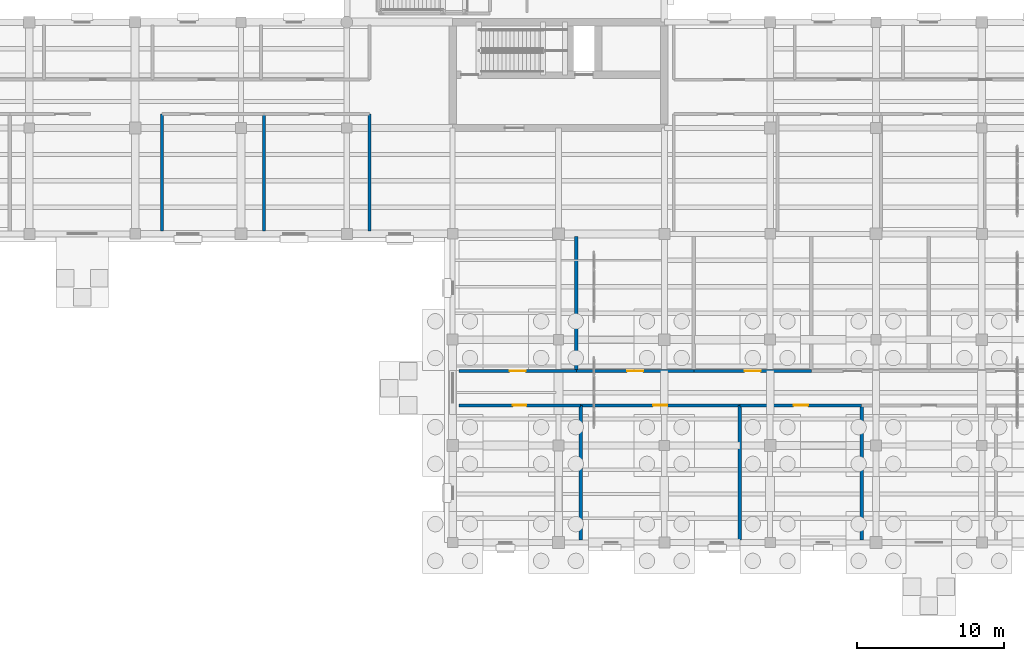
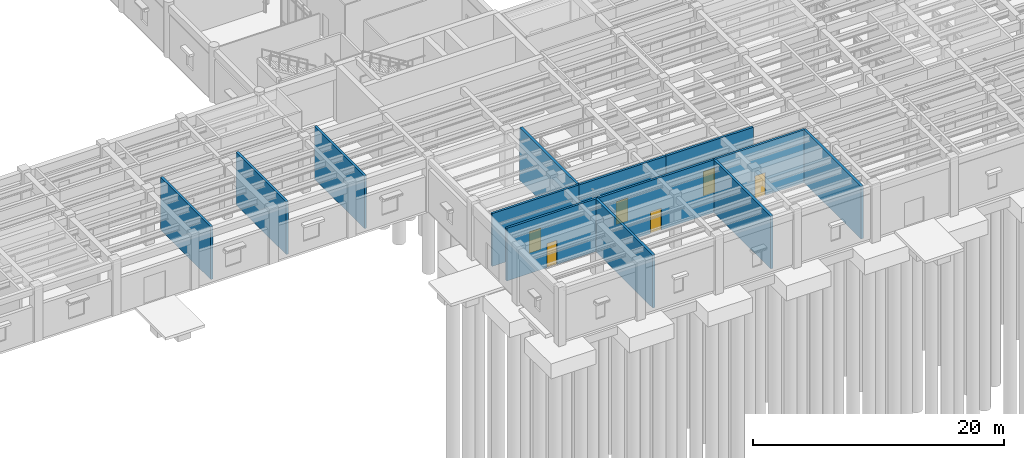
# One storey, part 70 of 100: 13 walls, 6 doors, 6 openings.
"""IFC4 building model written with IfcOpenShell, lengths in metres."""

import ifcopenshell
import ifcopenshell.guid

model = None  # the IFC model being written
_history = None  # IfcOwnerHistory: only IFC2X3 demands one
_inside = {}  # id of a spatial element -> (the spatial element, [elements in it])
_under = {}  # id of a project, library or spatial element -> (it, [spatial elements below it])
_declared = {}  # id of a project -> (the project, [libraries it declares])
_typed = {}  # id of a type object -> (the type object, [elements of that type])
_made_of = {}  # id of a material, layer set ... -> (it, [elements and type objects made of it])


def new_model(schema):
    """Start an empty IFC model of exactly this schema.

    Asked for "IFC4X3", IfcOpenShell would pick the latest addendum, in which some entities
    have other attributes; the version numbers below select the first issue.
    IFC2X3 requires an IfcOwnerHistory on every rooted entity: one is made here for all.
    """
    global model, _history
    if schema == "IFC4X3":
        model = ifcopenshell.file(schema_version=(4, 3, 0, 0))
    else:
        model = ifcopenshell.file(schema=schema)
    _inside.clear()
    _under.clear()
    _declared.clear()
    _typed.clear()
    _made_of.clear()
    _history = None
    if model.schema == "IFC2X3":
        org = make("IfcOrganization", Name="unknown")
        user = make(
            "IfcPersonAndOrganization",
            ThePerson=make("IfcPerson", FamilyName="unknown"),
            TheOrganization=org,
        )
        app = make(
            "IfcApplication",
            ApplicationDeveloper=org,
            Version="unknown",
            ApplicationFullName="unknown",
            ApplicationIdentifier="unknown",
        )
        _history = make(
            "IfcOwnerHistory",
            OwningUser=user,
            OwningApplication=app,
            ChangeAction="ADDED",
            CreationDate=0,
        )
    return model


def make(cls, **values):
    """One entity of the class cls with the attributes given. An attribute that is None is left unset."""
    return model.create_entity(
        cls, **{name: value for name, value in values.items() if value is not None}
    )


def rooted(cls, **values):
    """An entity with a GlobalId (a new one), such as an element, a storey or a relation."""
    return make(cls, GlobalId=ifcopenshell.guid.new(), OwnerHistory=_history, **values)


def si_unit(unit_type, name, prefix=None):
    """IfcSIUnit, for example si_unit("LENGTHUNIT", "METRE", prefix="MILLI")."""
    return make("IfcSIUnit", UnitType=unit_type, Prefix=prefix, Name=name)


def assignment(units):
    """IfcUnitAssignment: the units of a project."""
    return None if units is None else make("IfcUnitAssignment", Units=units)


def point(xyz):
    """IfcCartesianPoint."""
    return None if xyz is None else make("IfcCartesianPoint", Coordinates=xyz)


def direction(xyz):
    """IfcDirection."""
    return None if xyz is None else make("IfcDirection", DirectionRatios=xyz)


def frame(location, z_axis=None, x_axis=None):
    """IfcAxis2Placement3D, a coordinate frame: its origin and axes. An axis left out is left unset."""
    return make(
        "IfcAxis2Placement3D",
        Location=point(location),
        Axis=direction(z_axis),
        RefDirection=direction(x_axis),
    )


def frame_2d(location, x_axis=None):
    """IfcAxis2Placement2D, a coordinate frame in the plane: its origin and x axis."""
    return make(
        "IfcAxis2Placement2D", Location=point(location), RefDirection=direction(x_axis)
    )


def origin():
    """The frame at (0, 0, 0) with its axes left unset."""
    return frame((0.0, 0.0, 0.0))


def place(relative_to, where):
    """IfcLocalPlacement: puts the frame where relative to a parent placement (None: the world)."""
    return make(
        "IfcLocalPlacement", PlacementRelTo=relative_to, RelativePlacement=where
    )


def context(
    kind, dimensions, precision=None, world=None, true_north=None, identifier=None
):
    """IfcGeometricRepresentationContext, for example the 3D "Model" context."""
    return make(
        "IfcGeometricRepresentationContext",
        ContextIdentifier=identifier,
        ContextType=kind,
        CoordinateSpaceDimension=dimensions,
        Precision=precision,
        WorldCoordinateSystem=world,
        TrueNorth=true_north,
    )


def subcontext(parent, identifier, kind, view, scale=None):
    """IfcGeometricRepresentationSubContext, for example "Body" below "Model"."""
    return make(
        "IfcGeometricRepresentationSubContext",
        ContextIdentifier=identifier,
        ContextType=kind,
        ParentContext=parent,
        TargetScale=scale,
        TargetView=view,
    )


def project(units=None, contexts=None):
    """IfcProject with its units and contexts."""
    return rooted(
        "IfcProject",
        Name="project",
        RepresentationContexts=contexts,
        UnitsInContext=assignment(units),
    )


def spatial(cls, under=None, at=None, **own):
    """A site, building, storey or space (cls), placed at a placement, below another one or the project."""
    s = rooted(cls, ObjectPlacement=at, **own)
    if under is not None:
        _under.setdefault(under.id(), (under, []))[1].append(s)
    return s


def profile(cls, at=None, kind="AREA", **sizes):
    """A parametric profile (cls). Its sizes go by their IFC names, for example OverallWidth=200.0."""
    return make(cls, ProfileType=kind, Position=at, **sizes)


def rectangle(**sizes):
    """IfcRectangleProfileDef."""
    return profile("IfcRectangleProfileDef", **sizes)


def extrude(swept, where, along, depth):
    """IfcExtrudedAreaSolid: the profile swept, set in the frame where, extruded along a direction by depth."""
    return make(
        "IfcExtrudedAreaSolid",
        SweptArea=swept,
        Position=where,
        ExtrudedDirection=direction(along),
        Depth=depth,
    )


def shape(context_of_items, identifier, shape_type, items):
    """IfcShapeRepresentation: the items that make up one representation, for example the "Body"."""
    return make(
        "IfcShapeRepresentation",
        ContextOfItems=context_of_items,
        RepresentationIdentifier=identifier,
        RepresentationType=shape_type,
        Items=items,
    )


def material(Name=None, Category=None):
    """IfcMaterial."""
    return make("IfcMaterial", Name=Name, Category=Category)


def layer(
    of_material, thickness, ventilated=None, Name=None, Category=None, Priority=None
):
    """IfcMaterialLayer: one layer of a wall or slab, of a material (None: an air gap)."""
    return make(
        "IfcMaterialLayer",
        Material=of_material,
        LayerThickness=thickness,
        IsVentilated=ventilated,
        Name=Name,
        Category=Category,
        Priority=Priority,
    )


def layer_set(layers, Name=None):
    """IfcMaterialLayerSet."""
    return make("IfcMaterialLayerSet", MaterialLayers=layers, LayerSetName=Name)


def made_of(thing, what):
    """Note that an element or type object is made of a material, layer set ...; save() writes the relation."""
    if what is not None:
        _made_of.setdefault(what.id(), (what, []))[1].append(thing)
    return thing


def type_object(cls, material=None, **own):
    """A type object (cls), such as IfcWallType, which elements share."""
    return made_of(rooted(cls, **own), material)


def element(
    cls,
    number,
    at=None,
    inside=None,
    cuts=None,
    type_object=None,
    material=None,
    context=None,
    identifier="Body",
    shape_type=None,
    held_by="IfcProductDefinitionShape",
    body=None,
    shapes=None,
    **own,
):
    """One element of the class cls, such as IfcWall. Its Tag is "e" and its number.

    at: its placement. inside: the storey or other place that contains it. cuts: it is an
    opening in that element (IfcRelVoidsElement). A single representation is given by context,
    identifier, shape_type and body (its items); several are given by shapes. held_by: the class
    of the entity that holds the representations. save() writes the other relations.
    """
    e = rooted(cls, Tag="e%d" % number, ObjectPlacement=at, **own)
    if body is not None:
        shapes = [shape(context, identifier, shape_type, body)]
    if shapes is not None:
        e.Representation = make(held_by, Representations=shapes)
    if inside is not None:
        _inside.setdefault(inside.id(), (inside, []))[1].append(e)
    if cuts is not None:
        rooted(
            "IfcRelVoidsElement", RelatingBuildingElement=cuts, RelatedOpeningElement=e
        )
    if type_object is not None:
        _typed.setdefault(type_object.id(), (type_object, []))[1].append(e)
    return made_of(e, material)


def fill(opening, filler):
    """IfcRelFillsElement: the door or window that sits in an opening."""
    return rooted(
        "IfcRelFillsElement",
        RelatingOpeningElement=opening,
        RelatedBuildingElement=filler,
    )


def aggregate(whole, parts):
    """IfcRelAggregates: a whole, such as a stair, and the parts it consists of."""
    return rooted("IfcRelAggregates", RelatingObject=whole, RelatedObjects=parts)


def save(model, path):
    """Write the relations noted so far, then the file.

    IfcRelAggregates (storeys below a building ...), IfcRelContainedInSpatialStructure (elements
    in a storey), IfcRelDefinesByType, IfcRelAssociatesMaterial and IfcRelDeclares: one each for
    every whole, place, type object, material and project.
    """
    for whole, parts in _under.values():
        aggregate(whole, parts)
    for where, things in _inside.values():
        rooted(
            "IfcRelContainedInSpatialStructure",
            RelatedElements=things,
            RelatingStructure=where,
        )
    for kind, things in _typed.values():
        rooted("IfcRelDefinesByType", RelatedObjects=things, RelatingType=kind)
    for what, things in _made_of.values():
        rooted("IfcRelAssociatesMaterial", RelatedObjects=things, RelatingMaterial=what)
    for by, libraries in _declared.values():
        rooted("IfcRelDeclares", RelatingContext=by, RelatedDefinitions=libraries)
    model.write(path)


model = new_model("IFC4")

# Units and contexts
model_context = context("Model", 3, precision=1e-05, world=origin(), true_north=direction((0.0, 1.0)))
body_context = subcontext(model_context, "Body", "Model", "MODEL_VIEW")
ifc_project = project(units=[si_unit("LENGTHUNIT", "METRE"), si_unit("AREAUNIT", "SQUARE_METRE"), si_unit("VOLUMEUNIT", "CUBIC_METRE"), si_unit("PLANEANGLEUNIT", "RADIAN"), si_unit("MASSUNIT", "GRAM", prefix="KILO")], contexts=[model_context])

# Site, building, storey
site_placement = place(None, origin())
site = spatial("IfcSite", under=ifc_project, at=site_placement, CompositionType="ELEMENT")
building_placement = place(site_placement, origin())
building = spatial("IfcBuilding", under=site, at=building_placement, Name="Mithqara Police Headquarters", CompositionType="ELEMENT")
storey_placement = place(building_placement, origin())
storey = spatial("IfcBuildingStorey", under=building, at=storey_placement, Name="L00", CompositionType="ELEMENT", Elevation=0.0)

# Walls
ifc_material_1 = material(Name="Concrete C40/50", Category="concrete")
ifc_layer_1 = layer(ifc_material_1, 0.2099609375, Name="Concrete C40/50")
ifc_layer_set_1 = layer_set([ifc_layer_1], Name="Concrete C40/50")
wall_type_1 = type_object("IfcWallType", Name="PART WALL 210", PredefinedType="PARTITIONING", material=ifc_layer_set_1)
for number, where, z_axis, x_axis, name in (
    (1, (74.14990234375, 21.179931640625, 0.0), (0.0, 0.0, 1.0), (0.0, 1.0, 0.0), "L00 Partition End Closure E1"),
    (2, (60.033935546875, 21.179931640625, 0.0), (0.0, 0.0, 1.0), (0.0, 1.0, 0.0), "L00 Room Partition Victim Support Consultation Room"),
    (3, (66.967041015625, 21.179931640625, 0.0), (0.0, 0.0, 1.0), (0.0, 1.0, 0.0), "L00 Room Partition Witness Reception Room"),
):
    element("IfcWall", number, at=place(storey_placement, frame(where, z_axis=z_axis, x_axis=x_axis)), inside=storey, type_object=wall_type_1, Name=name, PredefinedType="PARTITIONING", context=body_context, shape_type="SweptSolid", body=[
        extrude(rectangle(XDim=7.969970703125, YDim=0.2099609375, at=frame_2d((3.98486328125, 0.0))), origin(), (0.0, 0.0, 1.0), 5.1201171875),
    ])

# Wall, opening, door
wall_1_placement = place(storey_placement, frame((80.219970703125, 9.330078125, 0.0), z_axis=(0.0, 0.0, 1.0), x_axis=(1.0, 0.0, 0.0)))
wall_1 = element("IfcWall", 4, at=wall_1_placement, inside=storey, type_object=wall_type_1, Name="L00 Corridor Wall Custody Escort Lobby", PredefinedType="PARTITIONING", context=body_context, shape_type="SweptSolid", body=[
    extrude(rectangle(XDim=8.287109375, YDim=0.2099609375, at=frame_2d((4.1435546875, 0.0))), origin(), (0.0, 0.0, 1.0), 5.1201171875),
])
opening_1_placement = place(wall_1_placement, frame((3.68359375, 0.0, 0.0)))
opening_1 = element("IfcOpeningElement", 5, at=opening_1_placement, cuts=wall_1, Name="Opening D-03", PredefinedType="OPENING", context=body_context, shape_type="SweptSolid", body=[
    extrude(rectangle(XDim=0.919921875, YDim=2.35009765625, at=frame_2d((0.4599609375, 1.175048828125))), frame((0.0, 0.114990234375, 0.0), z_axis=(0.0, -1.0, 0.0), x_axis=(1.0, 0.0, 0.0)), (0.0, 0.0, 1.0), 0.22998046875),
])
ifc_material_2 = material(Name="Acoustic solid-core timber leaf", Category="wood")
door_type_1 = type_object("IfcDoorType", Name="INT DOOR 920X2350", OperationType="NOTDEFINED", PredefinedType="DOOR", material=ifc_material_2)
door_1_placement = place(opening_1_placement, frame((0.919921875, 0.0, 0.0), z_axis=(0.0, 0.0, 1.0), x_axis=(-1.0, 0.0, 0.0)))
door_1 = element("IfcDoor", 6, at=door_1_placement, inside=storey, type_object=door_type_1, Name="Custody Escort Lobby Entry Door", OperationType="SINGLE_SWING_RIGHT", OverallHeight=2.35009765625, OverallWidth=0.919921875, PredefinedType="DOOR", context=body_context, shape_type="SweptSolid", body=[
    extrude(rectangle(XDim=0.919921875, YDim=2.35009765625, at=frame_2d((0.4599609375, 1.175048828125))), frame((0.0, 0.02490234375, 0.0), z_axis=(0.0, -1.0, 0.0), x_axis=(1.0, 0.0, 0.0)), (0.0, 0.0, 1.0), 0.050048828125),
])
fill(opening_1, door_1)

wall_2_placement = place(storey_placement, frame((88.507080078125, 9.330078125, 0.0), z_axis=(0.0, 0.0, 1.0), x_axis=(1.0, 0.0, 0.0)))
wall_2 = element("IfcWall", 7, at=wall_2_placement, inside=storey, type_object=wall_type_1, Name="L00 Corridor Wall Custody Suite", PredefinedType="PARTITIONING", context=body_context, shape_type="SweptSolid", body=[
    extrude(rectangle(XDim=10.8369140625, YDim=0.2099609375, at=frame_2d((5.41845703125, 0.0))), origin(), (0.0, 0.0, 1.0), 5.1201171875),
])
opening_2_placement = place(wall_2_placement, frame((4.928466796875, 0.0, 0.0)))
opening_2 = element("IfcOpeningElement", 8, at=opening_2_placement, cuts=wall_2, Name="Opening D-04", PredefinedType="OPENING", context=body_context, shape_type="SweptSolid", body=[
    extrude(rectangle(XDim=0.97998046875, YDim=2.10009765625, at=frame_2d((0.489990234375, 1.050048828125))), frame((0.0, 0.114990234375, 0.0), z_axis=(0.0, -1.0, 0.0), x_axis=(1.0, 0.0, 0.0)), (0.0, 0.0, 1.0), 0.22998046875),
])
door_type_2 = type_object("IfcDoorType", Name="INT DOOR 980X2100", OperationType="NOTDEFINED", PredefinedType="DOOR", material=ifc_material_2)
door_2_placement = place(opening_2_placement, frame((0.97998046875, 0.0, 0.0), z_axis=(0.0, 0.0, 1.0), x_axis=(-1.0, 0.0, 0.0)))
door_2 = element("IfcDoor", 9, at=door_2_placement, inside=storey, type_object=door_type_2, Name="Custody Suite Entry Door", OperationType="SINGLE_SWING_LEFT", OverallHeight=2.10009765625, OverallWidth=0.97998046875, PredefinedType="DOOR", context=body_context, shape_type="SweptSolid", body=[
    extrude(rectangle(XDim=0.97998046875, YDim=2.10009765625, at=frame_2d((0.489990234375, 1.050048828125))), frame((0.0, 0.02490234375, 0.0), z_axis=(0.0, -1.0, 0.0), x_axis=(1.0, 0.0, 0.0)), (0.0, 0.0, 1.0), 0.050048828125),
])
fill(opening_2, door_2)

wall_3_placement = place(storey_placement, frame((99.343994140625, 9.330078125, 0.0), z_axis=(0.0, 0.0, 1.0), x_axis=(1.0, 0.0, 0.0)))
wall_3 = element("IfcWall", 10, at=wall_3_placement, inside=storey, type_object=wall_type_1, Name="L00 Corridor Wall Custody Booking Desk", PredefinedType="PARTITIONING", context=body_context, shape_type="SweptSolid", body=[
    extrude(rectangle(XDim=8.287109375, YDim=0.2099609375, at=frame_2d((4.1435546875, 0.0))), origin(), (0.0, 0.0, 1.0), 5.1201171875),
])
opening_3_placement = place(wall_3_placement, frame((3.653564453125, 0.0, 0.0)))
opening_3 = element("IfcOpeningElement", 11, at=opening_3_placement, cuts=wall_3, Name="Opening D-05", PredefinedType="OPENING", context=body_context, shape_type="SweptSolid", body=[
    extrude(rectangle(XDim=0.97998046875, YDim=2.219970703125, at=frame_2d((0.489990234375, 1.10986328125))), frame((0.0, 0.114990234375, 0.0), z_axis=(0.0, -1.0, 0.0), x_axis=(1.0, 0.0, 0.0)), (0.0, 0.0, 1.0), 0.22998046875),
])
door_type_3 = type_object("IfcDoorType", Name="INT DOOR 980X2220", OperationType="NOTDEFINED", PredefinedType="DOOR", material=ifc_material_2)
door_3_placement = place(opening_3_placement, frame((0.97998046875, 0.0, 0.0), z_axis=(0.0, 0.0, 1.0), x_axis=(-1.0, 0.0, 0.0)))
door_3 = element("IfcDoor", 12, at=door_3_placement, inside=storey, type_object=door_type_3, Name="Custody Booking Desk Entry Door", OperationType="SINGLE_SWING_RIGHT", OverallHeight=2.219970703125, OverallWidth=0.97998046875, PredefinedType="DOOR", context=body_context, shape_type="SweptSolid", body=[
    extrude(rectangle(XDim=0.97998046875, YDim=2.219970703125, at=frame_2d((0.489990234375, 1.10986328125))), frame((0.0, 0.02490234375, 0.0), z_axis=(0.0, -1.0, 0.0), x_axis=(1.0, 0.0, 0.0)), (0.0, 0.0, 1.0), 0.050048828125),
])
fill(opening_3, door_3)

wall_4_placement = place(storey_placement, frame((80.219970703125, 11.669921875, 0.0), z_axis=(0.0, 0.0, 1.0), x_axis=(1.0, 0.0, 0.0)))
wall_4 = element("IfcWall", 13, at=wall_4_placement, inside=storey, type_object=wall_type_1, Name="L00 Corridor Wall Custody Suite", PredefinedType="PARTITIONING", context=body_context, shape_type="SweptSolid", body=[
    extrude(rectangle(XDim=7.9951171875, YDim=0.2099609375, at=frame_2d((3.99755859375, 0.0))), origin(), (0.0, 0.0, 1.0), 5.1201171875),
])
opening_4_placement = place(wall_4_placement, frame((3.447509765625, 0.0, 0.0)))
opening_4 = element("IfcOpeningElement", 14, at=opening_4_placement, cuts=wall_4, Name="Opening D-10", PredefinedType="OPENING", context=body_context, shape_type="SweptSolid", body=[
    extrude(rectangle(XDim=1.10009765625, YDim=2.10009765625, at=frame_2d((0.550048828125, 1.050048828125))), frame((0.0, 0.114990234375, 0.0), z_axis=(0.0, -1.0, 0.0), x_axis=(1.0, 0.0, 0.0)), (0.0, 0.0, 1.0), 0.22998046875),
])
door_type_4 = type_object("IfcDoorType", Name="INT DOOR 1100X2100", OperationType="NOTDEFINED", PredefinedType="DOOR", material=ifc_material_2)
door_4_placement = place(opening_4_placement, origin())
door_4 = element("IfcDoor", 15, at=door_4_placement, inside=storey, type_object=door_type_4, Name="Custody Suite Entry Door", OperationType="SINGLE_SWING_LEFT", OverallHeight=2.10009765625, OverallWidth=1.10009765625, PredefinedType="DOOR", context=body_context, shape_type="SweptSolid", body=[
    extrude(rectangle(XDim=1.10009765625, YDim=2.10009765625, at=frame_2d((0.550048828125, 1.050048828125))), frame((0.0, 0.02490234375, 0.0), z_axis=(0.0, -1.0, 0.0), x_axis=(1.0, 0.0, 0.0)), (0.0, 0.0, 1.0), 0.050048828125),
])
fill(opening_4, door_4)

wall_5_placement = place(storey_placement, frame((88.215087890625, 11.669921875, 0.0), z_axis=(0.0, 0.0, 1.0), x_axis=(1.0, 0.0, 0.0)))
wall_5 = element("IfcWall", 16, at=wall_5_placement, inside=storey, type_object=wall_type_1, Name="L00 Corridor Wall Custody Booking Desk", PredefinedType="PARTITIONING", context=body_context, shape_type="SweptSolid", body=[
    extrude(rectangle(XDim=7.994873046875, YDim=0.2099609375, at=frame_2d((3.99755859375, 0.0))), origin(), (0.0, 0.0, 1.0), 5.1201171875),
])
opening_5_placement = place(wall_5_placement, frame((3.447509765625, 0.0, 0.0)))
opening_5 = element("IfcOpeningElement", 17, at=opening_5_placement, cuts=wall_5, Name="Opening D-11", PredefinedType="OPENING", context=body_context, shape_type="SweptSolid", body=[
    extrude(rectangle(XDim=1.10009765625, YDim=2.219970703125, at=frame_2d((0.550048828125, 1.10986328125))), frame((0.0, 0.114990234375, 0.0), z_axis=(0.0, -1.0, 0.0), x_axis=(1.0, 0.0, 0.0)), (0.0, 0.0, 1.0), 0.22998046875),
])
door_type_5 = type_object("IfcDoorType", Name="INT DOOR 1100X2220", OperationType="NOTDEFINED", PredefinedType="DOOR", material=ifc_material_2)
door_5_placement = place(opening_5_placement, origin())
door_5 = element("IfcDoor", 18, at=door_5_placement, inside=storey, type_object=door_type_5, Name="Custody Booking Desk Entry Door", OperationType="SINGLE_SWING_RIGHT", OverallHeight=2.219970703125, OverallWidth=1.10009765625, PredefinedType="DOOR", context=body_context, shape_type="SweptSolid", body=[
    extrude(rectangle(XDim=1.10009765625, YDim=2.219970703125, at=frame_2d((0.550048828125, 1.10986328125))), frame((0.0, 0.02490234375, 0.0), z_axis=(0.0, -1.0, 0.0), x_axis=(1.0, 0.0, 0.0)), (0.0, 0.0, 1.0), 0.050048828125),
])
fill(opening_5, door_5)

wall_6_placement = place(storey_placement, frame((96.2099609375, 11.669921875, 0.0), z_axis=(0.0, 0.0, 1.0), x_axis=(1.0, 0.0, 0.0)))
wall_6 = element("IfcWall", 19, at=wall_6_placement, inside=storey, type_object=wall_type_1, Name="L00 Corridor Wall Custody Medical Room", PredefinedType="PARTITIONING", context=body_context, shape_type="SweptSolid", body=[
    extrude(rectangle(XDim=7.9951171875, YDim=0.2099609375, at=frame_2d((3.99755859375, 0.0))), origin(), (0.0, 0.0, 1.0), 5.1201171875),
])
opening_6_placement = place(wall_6_placement, frame((3.447509765625, 0.0, 0.0)))
opening_6 = element("IfcOpeningElement", 20, at=opening_6_placement, cuts=wall_6, Name="Opening D-12", PredefinedType="OPENING", context=body_context, shape_type="SweptSolid", body=[
    extrude(rectangle(XDim=1.10009765625, YDim=2.35009765625, at=frame_2d((0.550048828125, 1.175048828125))), frame((0.0, 0.114990234375, 0.0), z_axis=(0.0, -1.0, 0.0), x_axis=(1.0, 0.0, 0.0)), (0.0, 0.0, 1.0), 0.22998046875),
])
door_type_6 = type_object("IfcDoorType", Name="INT DOOR 1100X2350", OperationType="NOTDEFINED", PredefinedType="DOOR", material=ifc_material_2)
door_6_placement = place(opening_6_placement, origin())
door_6 = element("IfcDoor", 21, at=door_6_placement, inside=storey, type_object=door_type_6, Name="Custody Medical Room Entry Door", OperationType="SINGLE_SWING_LEFT", OverallHeight=2.35009765625, OverallWidth=1.10009765625, PredefinedType="DOOR", context=body_context, shape_type="SweptSolid", body=[
    extrude(rectangle(XDim=1.10009765625, YDim=2.35009765625, at=frame_2d((0.550048828125, 1.175048828125))), frame((0.0, 0.02490234375, 0.0), z_axis=(0.0, -1.0, 0.0), x_axis=(1.0, 0.0, 0.0)), (0.0, 0.0, 1.0), 0.050048828125),
])
fill(opening_6, door_6)

# Walls
ifc_layer_2 = layer(ifc_material_1, 0.22998046875, Name="Concrete C40/50")
ifc_layer_set_2 = layer_set([ifc_layer_2], Name="Concrete C40/50")
wall_type_2 = type_object("IfcWallType", Name="PART WALL 230", PredefinedType="PARTITIONING", material=ifc_layer_set_2)
for number, where, z_axis, x_axis, name in (
    (22, (88.507080078125, 0.179931640625, 0.0), (0.0, 0.0, 1.0), (0.0, 1.0, 0.0), "L00 Room Partition Custody Escort Lobby"),
    (23, (99.343994140625, 0.179931640625, 0.0), (0.0, 0.0, 1.0), (0.0, 1.0, 0.0), "L00 Room Partition Custody Suite"),
    (24, (107.631103515625, 0.179931640625, 0.0), (0.0, 0.0, 1.0), (0.0, 1.0, 0.0), "L00 Room Partition Custody Booking Desk"),
    (25, (88.215087890625, 11.669921875, 0.0), (0.0, 0.0, 1.0), (0.0, 1.0, 0.0), "L00 Room Partition Custody Suite"),
):
    element("IfcWall", number, at=place(storey_placement, frame(where, z_axis=z_axis, x_axis=x_axis)), inside=storey, type_object=wall_type_2, Name=name, PredefinedType="PARTITIONING", context=body_context, shape_type="SweptSolid", body=[
        extrude(rectangle(XDim=9.150146484375, YDim=0.22998046875, at=frame_2d((4.5751953125, 0.0))), origin(), (0.0, 0.0, 1.0), 5.1201171875),
    ])

save(model, "model.ifc")
